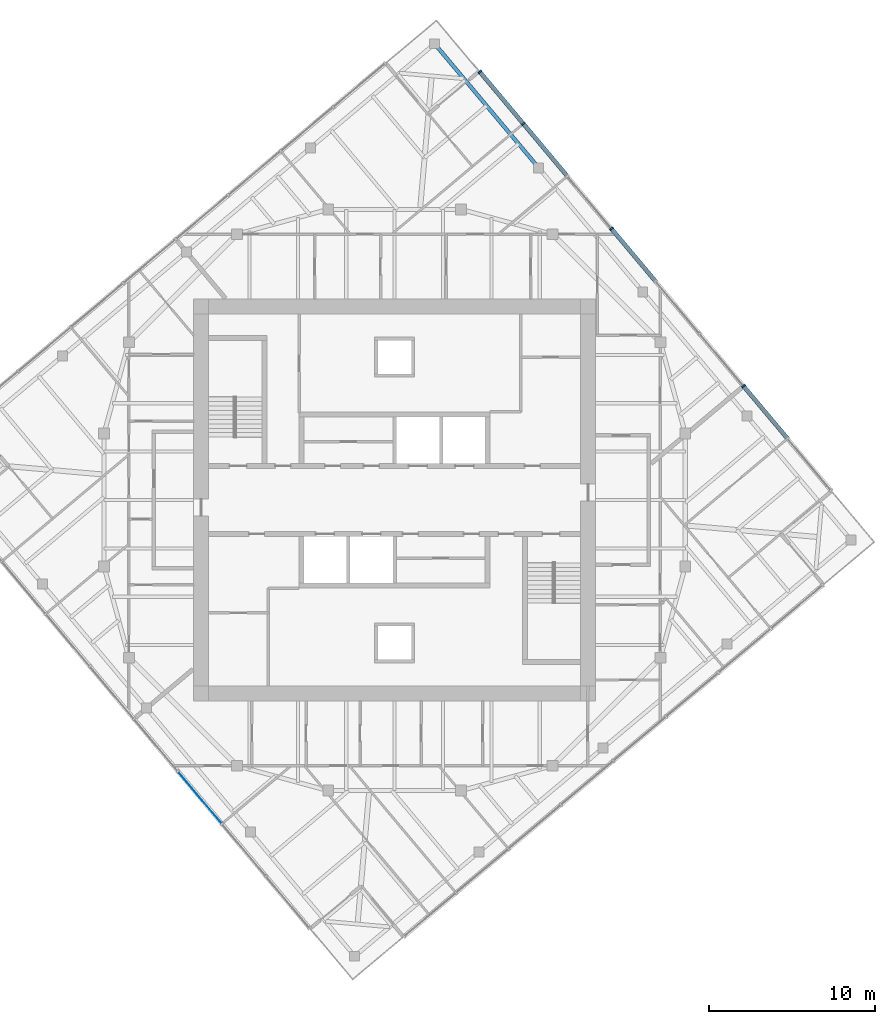
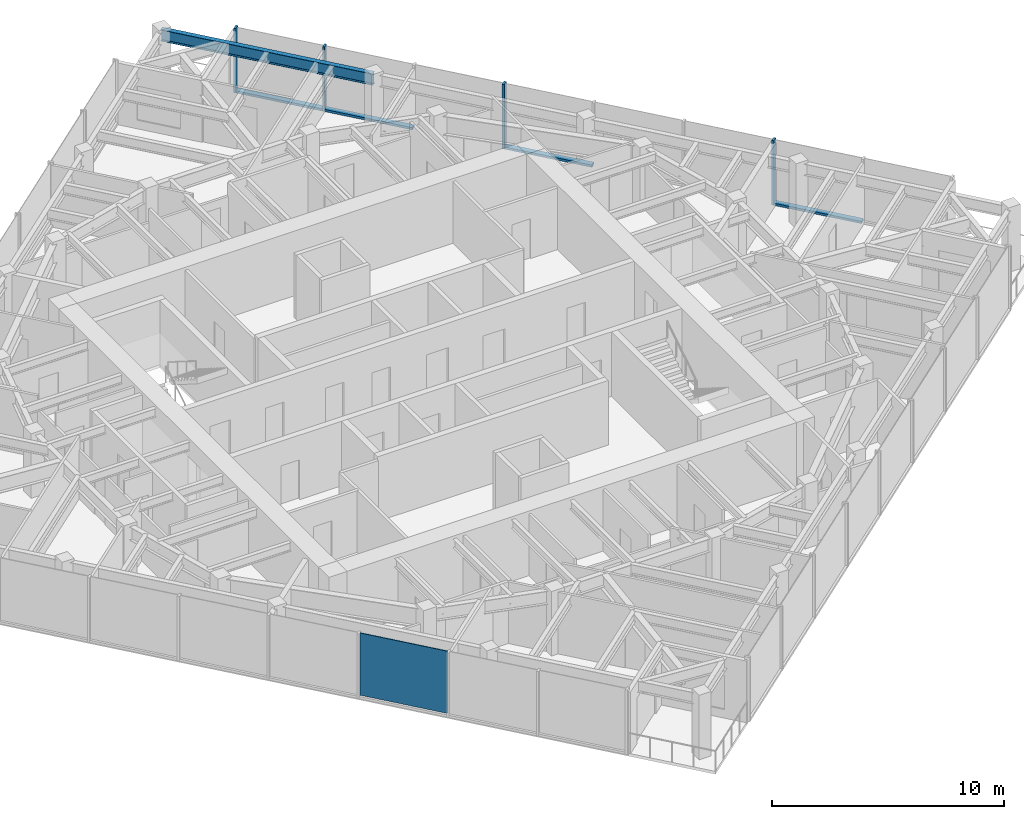
# One storey, part 5 of 12: 8 members, 1 beam, 1 plate, 2 elements without a shape of their own.
"""IFC4 building model written with IfcOpenShell, lengths in metres."""

from ifc_helpers import new_model, si_unit, direction, frame, origin, origin_2d, place, context, subcontext, project, spatial, rectangle, i_section, extrude, material, layer, layer_set, material_profile, profile_set, type_object, element, aggregate, save


model = new_model("IFC4")

# Units and contexts
model_context = context("Model", 3, precision=1e-05, world=origin(), true_north=direction((0.0, 1.0)))
body_context = subcontext(model_context, "Body", "Model", "MODEL_VIEW")
ifc_project = project(units=[si_unit("LENGTHUNIT", "METRE"), si_unit("AREAUNIT", "SQUARE_METRE"), si_unit("VOLUMEUNIT", "CUBIC_METRE"), si_unit("PLANEANGLEUNIT", "RADIAN"), si_unit("MASSUNIT", "GRAM", prefix="KILO")], contexts=[model_context])

# Site, building, storey
site_placement = place(None, origin())
site = spatial("IfcSite", under=ifc_project, at=site_placement, CompositionType="ELEMENT")
building_placement = place(site_placement, origin())
building = spatial("IfcBuilding", under=site, at=building_placement, Name="Torsade Residences", CompositionType="ELEMENT")
storey_placement = place(building_placement, frame((0.0, 0.0, 289.60009765625)))
storey = spatial("IfcBuildingStorey", under=building, at=storey_placement, Name="L80", CompositionType="ELEMENT", Elevation=289.60009765625)

# Beam
ifc_material_1 = material(Name="Steel grade 300", Category="steel")
ifc_material_profile_1 = material_profile(ifc_material_1, i_section(OverallWidth=0.22802734375, OverallDepth=0.60205078125, WebThickness=0.010498046875, FlangeThickness=0.014892578125, FilletRadius=0.013916015625, at=origin_2d()), Name="610UB101")
ifc_profile_set_1 = profile_set([ifc_material_profile_1], Name="Steel grade 300")
beam_type = type_object("IfcBeamType", Name="EDGE BEAM 610UB101", PredefinedType="SPANDREL", material=ifc_profile_set_1)
beam_placement = place(storey_placement, frame((48.670654296875, 50.003173828125, 2.948974609375), z_axis=(-0.642779160279, 0.766051532934, 0.0), x_axis=(-0.766051532934, -0.642779160279, 0.0)))
element("IfcBeam", 1, at=beam_placement, inside=storey, type_object=beam_type, Name="Edge beam 08 L81", PredefinedType="SPANDREL", context=body_context, shape_type="SweptSolid", body=[
    extrude(i_section(OverallWidth=0.22802734375, OverallDepth=0.60205078125, WebThickness=0.010498046875, FlangeThickness=0.014892578125, FilletRadius=0.013916015625, at=origin_2d()), origin(), (0.0, 0.0, 1.0), 9.75),
])

# Curtain wall, members
ifc_material_2 = material(Name="Aluminium and glass", Category="aluminium")
curtain_wall_type = type_object("IfcCurtainWallType", Name="FRITTED GLASS CURTAIN WALL HIGH ZONE", PredefinedType="NOTDEFINED", material=ifc_material_2)
curtain_wall_1_placement = place(storey_placement, origin())
curtain_wall_1 = element("IfcCurtainWall", 2, at=curtain_wall_1_placement, inside=storey, type_object=curtain_wall_type, Name="Curtain wall L80 face 4", PredefinedType="NOTDEFINED")
ifc_material_3 = material(Name="Aluminium mullion", Category="aluminium")
ifc_material_profile_2 = material_profile(ifc_material_3, rectangle(XDim=0.25, YDim=0.10009765625, at=origin_2d()), Name="HIGH ZONE CURTAIN WALL MULLION 250x100")
ifc_profile_set_2 = profile_set([ifc_material_profile_2], Name="Aluminium mullion")
member_type_1 = type_object("IfcMemberType", Name="HIGH ZONE CURTAIN WALL MULLION 250x100", PredefinedType="MULLION", material=ifc_profile_set_2)
member_1_placement = place(storey_placement, frame((61.0068359375, 36.857177734375, 0.0), z_axis=(0.0, 0.0, 1.0), x_axis=(-0.766044437106, -0.642787616853, 0.0)))
member_1 = element("IfcMember", 3, at=member_1_placement, type_object=member_type_1, Name="Mullion 3", PredefinedType="MULLION", context=body_context, shape_type="SweptSolid", body=[
    extrude(rectangle(XDim=0.25, YDim=0.10009765625, at=origin_2d()), origin(), (0.0, 0.0, 1.0), 3.39990234375),
])
member_2_placement = place(storey_placement, frame((53.052490234375, 46.337158203125, 0.0), z_axis=(0.0, 0.0, 1.0), x_axis=(-0.766044437106, -0.642787616853, 0.0)))
member_2 = element("IfcMember", 4, at=member_2_placement, type_object=member_type_1, Name="Mullion 6", PredefinedType="MULLION", context=body_context, shape_type="SweptSolid", body=[
    extrude(rectangle(XDim=0.25, YDim=0.10009765625, at=origin_2d()), origin(), (0.0, 0.0, 1.0), 3.39990234375),
])
member_3_placement = place(storey_placement, frame((47.74951171875, 52.656982421875, 0.0), z_axis=(0.0, 0.0, 1.0), x_axis=(-0.766044437106, -0.642787616853, 0.0)))
member_3 = element("IfcMember", 5, at=member_3_placement, type_object=member_type_1, Name="Mullion 8", PredefinedType="MULLION", context=body_context, shape_type="SweptSolid", body=[
    extrude(rectangle(XDim=0.25, YDim=0.10009765625, at=origin_2d()), origin(), (0.0, 0.0, 1.0), 3.39990234375),
])
member_4_placement = place(storey_placement, frame((45.130126953125, 55.778564453125, 0.0), z_axis=(0.0, 0.0, 1.0), x_axis=(-0.766044437106, -0.642787616853, 0.0)))
member_4 = element("IfcMember", 6, at=member_4_placement, type_object=member_type_1, Name="Mullion 9", PredefinedType="MULLION", context=body_context, shape_type="SweptSolid", body=[
    extrude(rectangle(XDim=0.25, YDim=0.10009765625, at=origin_2d()), origin(), (0.0, 0.0, 1.0), 3.39990234375),
])
ifc_material_4 = material(Name="Aluminium transom", Category="aluminium")
ifc_material_profile_3 = material_profile(ifc_material_4, rectangle(XDim=0.25, YDim=0.1201171875, at=origin_2d()), Name="HIGH ZONE CURTAIN WALL TRANSOM 250x120")
ifc_profile_set_3 = profile_set([ifc_material_profile_3], Name="Aluminium transom")
member_type_2 = type_object("IfcMemberType", Name="HIGH ZONE CURTAIN WALL TRANSOM 250x120", PredefinedType="USERDEFINED", material=ifc_profile_set_3)
member_5_placement = place(storey_placement, frame((63.626220703125, 33.735595703125, 0.059814453125), z_axis=(-0.6427581255, 0.766069182322, 0.0), x_axis=(-0.766069182322, -0.6427581255, 0.0)))
member_5 = element("IfcMember", 7, at=member_5_placement, type_object=member_type_2, Name="Transom 2.1", ObjectType="TRANSOM", PredefinedType="USERDEFINED", context=body_context, shape_type="SweptSolid", body=[
    extrude(rectangle(XDim=0.25, YDim=0.1201171875, at=origin_2d()), origin(), (0.0, 0.0, 1.0), 4.025146484375),
])
member_6_placement = place(storey_placement, frame((55.671875, 43.21533203125, 0.059814453125), z_axis=(-0.642793719372, 0.766039316443, 0.0), x_axis=(-0.766039316443, -0.642793719372, 0.0)))
member_6 = element("IfcMember", 8, at=member_6_placement, type_object=member_type_2, Name="Transom 5.1", ObjectType="TRANSOM", PredefinedType="USERDEFINED", context=body_context, shape_type="SweptSolid", body=[
    extrude(rectangle(XDim=0.25, YDim=0.1201171875, at=origin_2d()), origin(), (0.0, 0.0, 1.0), 4.025146484375),
])
member_7_placement = place(storey_placement, frame((50.36865234375, 49.535400390625, 0.059814453125), z_axis=(-0.642787992616, 0.766044121803, 0.0), x_axis=(-0.766044121803, -0.642787992616, 0.0)))
member_7 = element("IfcMember", 9, at=member_7_placement, type_object=member_type_2, Name="Transom 7.1", ObjectType="TRANSOM", PredefinedType="USERDEFINED", context=body_context, shape_type="SweptSolid", body=[
    extrude(rectangle(XDim=0.25, YDim=0.1201171875, at=origin_2d()), origin(), (0.0, 0.0, 1.0), 4.02490234375),
])
member_8_placement = place(storey_placement, frame((47.71728515625, 52.6953125, 0.059814453125), z_axis=(-0.642814619413, 0.766021778456, 0.0), x_axis=(-0.766021778456, -0.642814619413, 0.0)))
member_8 = element("IfcMember", 10, at=member_8_placement, type_object=member_type_2, Name="Transom 8.1", ObjectType="TRANSOM", PredefinedType="USERDEFINED", context=body_context, shape_type="SweptSolid", body=[
    extrude(rectangle(XDim=0.25, YDim=0.1201171875, at=origin_2d()), origin(), (0.0, 0.0, 1.0), 3.97509765625),
])
aggregate(curtain_wall_1, [member_1, member_2, member_3, member_4, member_5, member_6, member_7, member_8])

# Curtain wall, plate
curtain_wall_2_placement = place(storey_placement, origin())
curtain_wall_2 = element("IfcCurtainWall", 11, at=curtain_wall_2_placement, inside=storey, type_object=curtain_wall_type, Name="Curtain wall L80 face 10", PredefinedType="NOTDEFINED")
ifc_material_5 = material(Name="Laminated glass", Category="glass")
ifc_layer = layer(ifc_material_5, 0.0400390625)
ifc_layer_set = layer_set([ifc_layer], Name="Laminated glass")
plate_type = type_object("IfcPlateType", Name="OPERABLE VENT PANEL", PredefinedType="CURTAIN_PANEL", material=ifc_layer_set)
plate_placement = place(storey_placement, frame((28.2734375, 12.0830078125, 0.1201171875), z_axis=(0.0, 0.0, 1.0), x_axis=(0.642787616853, -0.766044437106, 0.0)))
plate = element("IfcPlate", 12, at=plate_placement, type_object=plate_type, Name="Panel 6", PredefinedType="CURTAIN_PANEL", context=body_context, shape_type="SweptSolid", body=[
    extrude(rectangle(XDim=4.02490234375, YDim=0.0400390625, at=origin_2d()), origin(), (0.0, 0.0, 1.0), 3.280029296875),
])
aggregate(curtain_wall_2, [plate])

save(model, "model.ifc")
